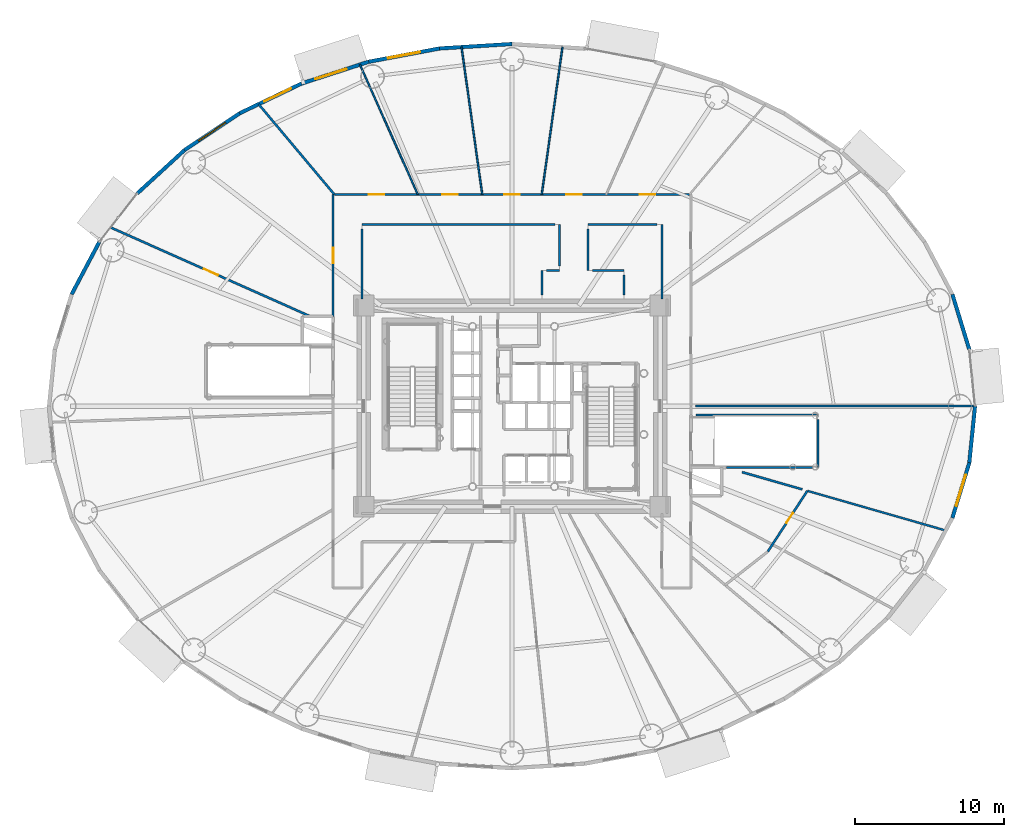
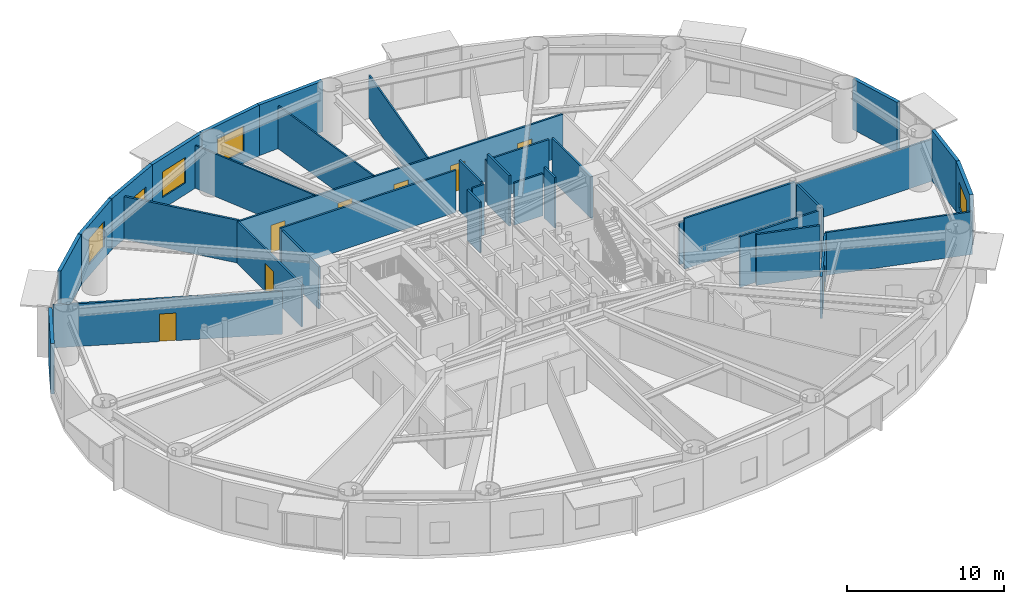
# One storey, part 19 of 28: 34 walls, 8 doors, 5 windows, 13 openings.
"""IFC4 building model written with IfcOpenShell, lengths in metres."""

import ifcopenshell
import ifcopenshell.guid

model = None  # the IFC model being written
_history = None  # IfcOwnerHistory: only IFC2X3 demands one
_inside = {}  # id of a spatial element -> (the spatial element, [elements in it])
_under = {}  # id of a project, library or spatial element -> (it, [spatial elements below it])
_declared = {}  # id of a project -> (the project, [libraries it declares])
_typed = {}  # id of a type object -> (the type object, [elements of that type])
_made_of = {}  # id of a material, layer set ... -> (it, [elements and type objects made of it])


def new_model(schema):
    """Start an empty IFC model of exactly this schema.

    Asked for "IFC4X3", IfcOpenShell would pick the latest addendum, in which some entities
    have other attributes; the version numbers below select the first issue.
    IFC2X3 requires an IfcOwnerHistory on every rooted entity: one is made here for all.
    """
    global model, _history
    if schema == "IFC4X3":
        model = ifcopenshell.file(schema_version=(4, 3, 0, 0))
    else:
        model = ifcopenshell.file(schema=schema)
    _inside.clear()
    _under.clear()
    _declared.clear()
    _typed.clear()
    _made_of.clear()
    _history = None
    if model.schema == "IFC2X3":
        org = make("IfcOrganization", Name="unknown")
        user = make(
            "IfcPersonAndOrganization",
            ThePerson=make("IfcPerson", FamilyName="unknown"),
            TheOrganization=org,
        )
        app = make(
            "IfcApplication",
            ApplicationDeveloper=org,
            Version="unknown",
            ApplicationFullName="unknown",
            ApplicationIdentifier="unknown",
        )
        _history = make(
            "IfcOwnerHistory",
            OwningUser=user,
            OwningApplication=app,
            ChangeAction="ADDED",
            CreationDate=0,
        )
    return model


def make(cls, **values):
    """One entity of the class cls with the attributes given. An attribute that is None is left unset."""
    return model.create_entity(
        cls, **{name: value for name, value in values.items() if value is not None}
    )


def rooted(cls, **values):
    """An entity with a GlobalId (a new one), such as an element, a storey or a relation."""
    return make(cls, GlobalId=ifcopenshell.guid.new(), OwnerHistory=_history, **values)


def si_unit(unit_type, name, prefix=None):
    """IfcSIUnit, for example si_unit("LENGTHUNIT", "METRE", prefix="MILLI")."""
    return make("IfcSIUnit", UnitType=unit_type, Prefix=prefix, Name=name)


def assignment(units):
    """IfcUnitAssignment: the units of a project."""
    return None if units is None else make("IfcUnitAssignment", Units=units)


def point(xyz):
    """IfcCartesianPoint."""
    return None if xyz is None else make("IfcCartesianPoint", Coordinates=xyz)


def direction(xyz):
    """IfcDirection."""
    return None if xyz is None else make("IfcDirection", DirectionRatios=xyz)


def frame(location, z_axis=None, x_axis=None):
    """IfcAxis2Placement3D, a coordinate frame: its origin and axes. An axis left out is left unset."""
    return make(
        "IfcAxis2Placement3D",
        Location=point(location),
        Axis=direction(z_axis),
        RefDirection=direction(x_axis),
    )


def frame_2d(location, x_axis=None):
    """IfcAxis2Placement2D, a coordinate frame in the plane: its origin and x axis."""
    return make(
        "IfcAxis2Placement2D", Location=point(location), RefDirection=direction(x_axis)
    )


def origin():
    """The frame at (0, 0, 0) with its axes left unset."""
    return frame((0.0, 0.0, 0.0))


def origin_2d():
    """The frame at (0, 0) in the plane with its x axis left unset."""
    return frame_2d((0.0, 0.0))


def place(relative_to, where):
    """IfcLocalPlacement: puts the frame where relative to a parent placement (None: the world)."""
    return make(
        "IfcLocalPlacement", PlacementRelTo=relative_to, RelativePlacement=where
    )


def context(
    kind, dimensions, precision=None, world=None, true_north=None, identifier=None
):
    """IfcGeometricRepresentationContext, for example the 3D "Model" context."""
    return make(
        "IfcGeometricRepresentationContext",
        ContextIdentifier=identifier,
        ContextType=kind,
        CoordinateSpaceDimension=dimensions,
        Precision=precision,
        WorldCoordinateSystem=world,
        TrueNorth=true_north,
    )


def subcontext(parent, identifier, kind, view, scale=None):
    """IfcGeometricRepresentationSubContext, for example "Body" below "Model"."""
    return make(
        "IfcGeometricRepresentationSubContext",
        ContextIdentifier=identifier,
        ContextType=kind,
        ParentContext=parent,
        TargetScale=scale,
        TargetView=view,
    )


def project(units=None, contexts=None):
    """IfcProject with its units and contexts."""
    return rooted(
        "IfcProject",
        Name="project",
        RepresentationContexts=contexts,
        UnitsInContext=assignment(units),
    )


def spatial(cls, under=None, at=None, **own):
    """A site, building, storey or space (cls), placed at a placement, below another one or the project."""
    s = rooted(cls, ObjectPlacement=at, **own)
    if under is not None:
        _under.setdefault(under.id(), (under, []))[1].append(s)
    return s


def profile(cls, at=None, kind="AREA", **sizes):
    """A parametric profile (cls). Its sizes go by their IFC names, for example OverallWidth=200.0."""
    return make(cls, ProfileType=kind, Position=at, **sizes)


def rectangle(**sizes):
    """IfcRectangleProfileDef."""
    return profile("IfcRectangleProfileDef", **sizes)


def extrude(swept, where, along, depth):
    """IfcExtrudedAreaSolid: the profile swept, set in the frame where, extruded along a direction by depth."""
    return make(
        "IfcExtrudedAreaSolid",
        SweptArea=swept,
        Position=where,
        ExtrudedDirection=direction(along),
        Depth=depth,
    )


def shape(context_of_items, identifier, shape_type, items):
    """IfcShapeRepresentation: the items that make up one representation, for example the "Body"."""
    return make(
        "IfcShapeRepresentation",
        ContextOfItems=context_of_items,
        RepresentationIdentifier=identifier,
        RepresentationType=shape_type,
        Items=items,
    )


def source(mapping_origin, context_of_items, identifier, shape_type, items):
    """IfcRepresentationMap: a shape defined once, which mapped items show again and again."""
    return make(
        "IfcRepresentationMap",
        MappingOrigin=mapping_origin,
        MappedRepresentation=shape(context_of_items, identifier, shape_type, items),
    )


def transform(
    local_origin,
    x_axis=None,
    y_axis=None,
    z_axis=None,
    scale=None,
    scale2=None,
    scale3=None,
    uniform=True,
):
    """IfcCartesianTransformationOperator3D, or its non-uniform kind. x_axis, y_axis, z_axis: its Axis1, 2, 3."""
    if uniform:
        return make(
            "IfcCartesianTransformationOperator3D",
            Axis1=direction(x_axis),
            Axis2=direction(y_axis),
            LocalOrigin=point(local_origin),
            Scale=scale,
            Axis3=direction(z_axis),
        )
    return make(
        "IfcCartesianTransformationOperator3DnonUniform",
        Axis1=direction(x_axis),
        Axis2=direction(y_axis),
        LocalOrigin=point(local_origin),
        Scale=scale,
        Axis3=direction(z_axis),
        Scale2=scale2,
        Scale3=scale3,
    )


def mapped(mapping_source, mapping_target):
    """IfcMappedItem: shows the shape of a source again, moved by a transform."""
    return make(
        "IfcMappedItem", MappingSource=mapping_source, MappingTarget=mapping_target
    )


def material(Name=None, Category=None):
    """IfcMaterial."""
    return make("IfcMaterial", Name=Name, Category=Category)


def layer(
    of_material, thickness, ventilated=None, Name=None, Category=None, Priority=None
):
    """IfcMaterialLayer: one layer of a wall or slab, of a material (None: an air gap)."""
    return make(
        "IfcMaterialLayer",
        Material=of_material,
        LayerThickness=thickness,
        IsVentilated=ventilated,
        Name=Name,
        Category=Category,
        Priority=Priority,
    )


def layer_set(layers, Name=None):
    """IfcMaterialLayerSet."""
    return make("IfcMaterialLayerSet", MaterialLayers=layers, LayerSetName=Name)


def made_of(thing, what):
    """Note that an element or type object is made of a material, layer set ...; save() writes the relation."""
    if what is not None:
        _made_of.setdefault(what.id(), (what, []))[1].append(thing)
    return thing


def type_object(cls, material=None, **own):
    """A type object (cls), such as IfcWallType, which elements share."""
    return made_of(rooted(cls, **own), material)


def element(
    cls,
    number,
    at=None,
    inside=None,
    cuts=None,
    type_object=None,
    material=None,
    context=None,
    identifier="Body",
    shape_type=None,
    held_by="IfcProductDefinitionShape",
    body=None,
    shapes=None,
    **own,
):
    """One element of the class cls, such as IfcWall. Its Tag is "e" and its number.

    at: its placement. inside: the storey or other place that contains it. cuts: it is an
    opening in that element (IfcRelVoidsElement). A single representation is given by context,
    identifier, shape_type and body (its items); several are given by shapes. held_by: the class
    of the entity that holds the representations. save() writes the other relations.
    """
    e = rooted(cls, Tag="e%d" % number, ObjectPlacement=at, **own)
    if body is not None:
        shapes = [shape(context, identifier, shape_type, body)]
    if shapes is not None:
        e.Representation = make(held_by, Representations=shapes)
    if inside is not None:
        _inside.setdefault(inside.id(), (inside, []))[1].append(e)
    if cuts is not None:
        rooted(
            "IfcRelVoidsElement", RelatingBuildingElement=cuts, RelatedOpeningElement=e
        )
    if type_object is not None:
        _typed.setdefault(type_object.id(), (type_object, []))[1].append(e)
    return made_of(e, material)


def fill(opening, filler):
    """IfcRelFillsElement: the door or window that sits in an opening."""
    return rooted(
        "IfcRelFillsElement",
        RelatingOpeningElement=opening,
        RelatedBuildingElement=filler,
    )


def aggregate(whole, parts):
    """IfcRelAggregates: a whole, such as a stair, and the parts it consists of."""
    return rooted("IfcRelAggregates", RelatingObject=whole, RelatedObjects=parts)


def save(model, path):
    """Write the relations noted so far, then the file.

    IfcRelAggregates (storeys below a building ...), IfcRelContainedInSpatialStructure (elements
    in a storey), IfcRelDefinesByType, IfcRelAssociatesMaterial and IfcRelDeclares: one each for
    every whole, place, type object, material and project.
    """
    for whole, parts in _under.values():
        aggregate(whole, parts)
    for where, things in _inside.values():
        rooted(
            "IfcRelContainedInSpatialStructure",
            RelatedElements=things,
            RelatingStructure=where,
        )
    for kind, things in _typed.values():
        rooted("IfcRelDefinesByType", RelatedObjects=things, RelatingType=kind)
    for what, things in _made_of.values():
        rooted("IfcRelAssociatesMaterial", RelatedObjects=things, RelatingMaterial=what)
    for by, libraries in _declared.values():
        rooted("IfcRelDeclares", RelatingContext=by, RelatedDefinitions=libraries)
    model.write(path)


model = new_model("IFC4")

# Units and contexts
model_context = context("Model", 3, precision=1e-05, world=origin(), true_north=direction((0.0, 1.0)))
body_context = subcontext(model_context, "Body", "Model", "MODEL_VIEW")
ifc_project = project(units=[si_unit("LENGTHUNIT", "METRE"), si_unit("AREAUNIT", "SQUARE_METRE"), si_unit("VOLUMEUNIT", "CUBIC_METRE"), si_unit("PLANEANGLEUNIT", "RADIAN"), si_unit("MASSUNIT", "GRAM", prefix="KILO")], contexts=[model_context])

# Site, building, storey
site_placement = place(None, origin())
site = spatial("IfcSite", under=ifc_project, at=site_placement, CompositionType="ELEMENT")
building_placement = place(site_placement, origin())
building = spatial("IfcBuilding", under=site, at=building_placement, Name="Linh Dai School and Residence Tower", CompositionType="ELEMENT")
storey_placement = place(building_placement, frame((0.0, 0.0, 57.60009765625)))
storey = spatial("IfcBuildingStorey", under=building, at=storey_placement, Name="L13", CompositionType="ELEMENT", Elevation=57.60009765625)

# Walls
ifc_material_1 = material(Name="Precast Concrete B45 (C35/45)", Category="concrete")
ifc_layer_1 = layer(ifc_material_1, 0.25)
ifc_layer_set_1 = layer_set([ifc_layer_1], Name="Precast Concrete B45 (C35/45)")
wall_type_1 = type_object("IfcWallType", Name="EW-TC-250", PredefinedType="SOLIDWALL", material=ifc_layer_set_1)
wall_1_placement = place(storey_placement, frame((65.5576171875, 34.50146484375, 0.0), z_axis=(0.0, 0.0, 1.0), x_axis=(0.293111631758, -0.956078224482, 0.0)))
element("IfcWall", 1, at=wall_1_placement, inside=storey, type_object=wall_type_1, Name="L13 Terracotta Exterior Wall 02", PredefinedType="SOLIDWALL", context=body_context, shape_type="SweptSolid", body=[
    extrude(rectangle(XDim=3.874755859375, YDim=0.25, at=frame_2d((1.9375, 0.0))), origin(), (0.0, 0.0, 1.0), 3.949951171875),
])
wall_2_placement = place(storey_placement, frame((31.134521484375, 51.005126953125, 0.0), z_axis=(0.0, 0.0, 1.0), x_axis=(0.998106954071, 0.061502099433, 0.0)))
element("IfcWall", 2, at=wall_2_placement, inside=storey, type_object=wall_type_1, Name="L13 Terracotta Exterior Wall 11", PredefinedType="SOLIDWALL", context=body_context, shape_type="SweptSolid", body=[
    extrude(rectangle(XDim=4.874755859375, YDim=0.25, at=frame_2d((2.4375, 0.0))), origin(), (0.0, 0.0, 1.0), 3.949951171875),
])

# Wall, opening, window
wall_3_placement = place(storey_placement, frame((26.389404296875, 50.11328125, 0.0), z_axis=(0.0, 0.0, 1.0), x_axis=(0.982791952378, 0.184715939598, 0.0)))
wall_3 = element("IfcWall", 3, at=wall_3_placement, inside=storey, type_object=wall_type_1, Name="L13 Terracotta Exterior Wall 12", PredefinedType="SOLIDWALL", context=body_context, shape_type="SweptSolid", body=[
    extrude(rectangle(XDim=4.828125, YDim=0.25, at=frame_2d((2.4140625, 0.0))), origin(), (0.0, 0.0, 1.0), 3.949951171875),
])
opening_1_placement = place(wall_3_placement, frame((1.314208984375, 0.0, 0.89990234375)))
opening_1 = element("IfcOpeningElement", 4, at=opening_1_placement, cuts=wall_3, Name="Opening W4", PredefinedType="OPENING", context=body_context, shape_type="SweptSolid", body=[
    extrude(rectangle(XDim=2.199951171875, YDim=2.0, at=origin_2d()), frame((1.10009765625, 0.135009765625, 1.0), z_axis=(0.0, -1.0, 0.0), x_axis=(1.0, 0.0, 0.0)), (0.0, 0.0, 1.0), 0.27001953125),
])
ifc_material_2 = material(Name="Acoustic Laminated Low-E Glazing", Category="glass")
window_type_1 = type_object("IfcWindowType", Name="WN-SCH-2200x2000", PartitioningType="TRIPLE_PANEL_VERTICAL", PredefinedType="WINDOW", material=ifc_material_2)
shared_shape_1 = source(origin(), body_context, "Body", "SweptSolid", [
    extrude(rectangle(XDim=2.199951171875, YDim=2.0, at=origin_2d()), frame((1.10009765625, 0.030029296875, 1.0), z_axis=(0.0, -1.0, 0.0), x_axis=(1.0, 0.0, 0.0)), (0.0, 0.0, 1.0), 0.06005859375),
])
window_1_placement = place(opening_1_placement, origin())
window_1 = element("IfcWindow", 5, at=window_1_placement, inside=storey, type_object=window_type_1, Name="L13 Exterior Window 12.1", OverallHeight=2.0, OverallWidth=2.199951171875, PartitioningType="TRIPLE_PANEL_VERTICAL", PredefinedType="WINDOW", context=body_context, shape_type="MappedRepresentation", body=[
    mapped(shared_shape_1, transform((0.0, 0.0, 0.0), x_axis=(1.0, 0.0, 0.0), y_axis=(0.0, 1.0, 0.0), z_axis=(0.0, 0.0, 1.0), scale=1.0)),
])
fill(opening_1, window_1)

wall_4_placement = place(storey_placement, frame((21.8818359375, 48.651123046875, 0.0), z_axis=(0.0, 0.0, 1.0), x_axis=(0.951207699013, 0.308551313946, 0.0)))
wall_4 = element("IfcWall", 6, at=wall_4_placement, inside=storey, type_object=wall_type_1, Name="L13 Terracotta Exterior Wall 13", PredefinedType="SOLIDWALL", context=body_context, shape_type="SweptSolid", body=[
    extrude(rectangle(XDim=4.73876953125, YDim=0.25, at=frame_2d((2.369384765625, 0.0))), origin(), (0.0, 0.0, 1.0), 3.949951171875),
])
opening_2_placement = place(wall_4_placement, frame((0.9677734375, 0.0, 0.89990234375)))
opening_2 = element("IfcOpeningElement", 7, at=opening_2_placement, cuts=wall_4, Name="Opening W4", PredefinedType="OPENING", context=body_context, shape_type="SweptSolid", body=[
    extrude(rectangle(XDim=2.199951171875, YDim=2.0, at=origin_2d()), frame((1.10009765625, 0.135009765625, 1.0), z_axis=(0.0, -1.0, 0.0), x_axis=(1.0, 0.0, 0.0)), (0.0, 0.0, 1.0), 0.27001953125),
])
window_2_placement = place(opening_2_placement, origin())
window_2 = element("IfcWindow", 8, at=window_2_placement, inside=storey, type_object=window_type_1, Name="L13 Exterior Window 13.1", OverallHeight=2.0, OverallWidth=2.199951171875, PartitioningType="TRIPLE_PANEL_VERTICAL", PredefinedType="WINDOW", context=body_context, shape_type="MappedRepresentation", body=[
    mapped(shared_shape_1, transform((0.0, 0.0, 0.0), x_axis=(1.0, 0.0, 0.0), y_axis=(0.0, 1.0, 0.0), z_axis=(0.0, 0.0, 1.0), scale=1.0)),
])
fill(opening_2, window_2)

wall_5_placement = place(storey_placement, frame((17.722900390625, 46.65576171875, 0.0), z_axis=(0.0, 0.0, 1.0), x_axis=(0.901601503137, 0.432567601123, 0.0)))
wall_5 = element("IfcWall", 9, at=wall_5_placement, inside=storey, type_object=wall_type_1, Name="L13 Terracotta Exterior Wall 14", PredefinedType="SOLIDWALL", context=body_context, shape_type="SweptSolid", body=[
    extrude(rectangle(XDim=4.61279296875, YDim=0.25, at=frame_2d((2.306396484375, 0.0))), origin(), (0.0, 0.0, 1.0), 3.949951171875),
])
opening_3_placement = place(wall_5_placement, frame((1.83349609375, 0.0, 0.89990234375)))
opening_3 = element("IfcOpeningElement", 10, at=opening_3_placement, cuts=wall_5, Name="Opening W1", PredefinedType="OPENING", context=body_context, shape_type="SweptSolid", body=[
    extrude(rectangle(XDim=2.0, YDim=1.75, at=origin_2d()), frame((1.0, 0.135009765625, 0.875), z_axis=(0.0, -1.0, 0.0), x_axis=(1.0, 0.0, 0.0)), (0.0, 0.0, 1.0), 0.27001953125),
])
ifc_material_3 = material(Name="Double Low-E Insulated Glazing", Category="glass")
window_type_2 = type_object("IfcWindowType", Name="WN-RES-2000x1750", PartitioningType="DOUBLE_PANEL_VERTICAL", PredefinedType="WINDOW", material=ifc_material_3)
shared_shape_2 = source(origin(), body_context, "Body", "SweptSolid", [
    extrude(rectangle(XDim=2.0, YDim=1.75, at=origin_2d()), frame((1.0, 0.030029296875, 0.875), z_axis=(0.0, -1.0, 0.0), x_axis=(1.0, 0.0, 0.0)), (0.0, 0.0, 1.0), 0.06005859375),
])
window_3_placement = place(opening_3_placement, origin())
window_3 = element("IfcWindow", 11, at=window_3_placement, inside=storey, type_object=window_type_2, Name="L13 Exterior Window 14.1", OverallHeight=1.75, OverallWidth=2.0, PartitioningType="DOUBLE_PANEL_VERTICAL", PredefinedType="WINDOW", context=body_context, shape_type="MappedRepresentation", body=[
    mapped(shared_shape_2, transform((0.0, 0.0, 0.0), x_axis=(1.0, 0.0, 0.0), y_axis=(0.0, 1.0, 0.0), z_axis=(0.0, 0.0, 1.0), scale=1.0)),
])
fill(opening_3, window_3)

wall_6_placement = place(storey_placement, frame((14.015380859375, 44.17626953125, 0.0), z_axis=(0.0, 0.0, 1.0), x_axis=(0.831240982525, 0.555912249343, 0.0)))
wall_6 = element("IfcWall", 12, at=wall_6_placement, inside=storey, type_object=wall_type_1, Name="L13 Terracotta Exterior Wall 15", PredefinedType="SOLIDWALL", context=body_context, shape_type="SweptSolid", body=[
    extrude(rectangle(XDim=4.460205078125, YDim=0.25, at=frame_2d((2.22998046875, 0.0))), origin(), (0.0, 0.0, 1.0), 3.949951171875),
])
opening_4_placement = place(wall_6_placement, frame((1.13037109375, 0.0, 0.89990234375)))
opening_4 = element("IfcOpeningElement", 13, at=opening_4_placement, cuts=wall_6, Name="Opening W4", PredefinedType="OPENING", context=body_context, shape_type="SweptSolid", body=[
    extrude(rectangle(XDim=2.199951171875, YDim=2.0, at=origin_2d()), frame((1.10009765625, 0.135009765625, 1.0), z_axis=(0.0, -1.0, 0.0), x_axis=(1.0, 0.0, 0.0)), (0.0, 0.0, 1.0), 0.27001953125),
])
window_4_placement = place(opening_4_placement, origin())
window_4 = element("IfcWindow", 14, at=window_4_placement, inside=storey, type_object=window_type_1, Name="L13 Exterior Window 15.1", OverallHeight=2.0, OverallWidth=2.199951171875, PartitioningType="TRIPLE_PANEL_VERTICAL", PredefinedType="WINDOW", context=body_context, shape_type="MappedRepresentation", body=[
    mapped(shared_shape_1, transform((0.0, 0.0, 0.0), x_axis=(1.0, 0.0, 0.0), y_axis=(0.0, 1.0, 0.0), z_axis=(0.0, 0.0, 1.0), scale=1.0)),
])
fill(opening_4, window_4)

# Walls
wall_7_placement = place(storey_placement, frame((10.850341796875, 41.274658203125, 0.0), z_axis=(0.0, 0.0, 1.0), x_axis=(0.737116376281, 0.67576582321, 0.0)))
element("IfcWall", 15, at=wall_7_placement, inside=storey, type_object=wall_type_1, Name="L13 Terracotta Exterior Wall 16", PredefinedType="SOLIDWALL", context=body_context, shape_type="SweptSolid", body=[
    extrude(rectangle(XDim=4.293701171875, YDim=0.25, at=frame_2d((2.14697265625, 0.0))), origin(), (0.0, 0.0, 1.0), 3.949951171875),
])
wall_8_placement = place(storey_placement, frame((6.4423828125, 34.50146484375, 0.0), z_axis=(0.0, 0.0, 1.0), x_axis=(0.467662443071, 0.883907144072, 0.0)))
element("IfcWall", 16, at=wall_8_placement, inside=storey, type_object=wall_type_1, Name="L13 Terracotta Exterior Wall 18", PredefinedType="SOLIDWALL", context=body_context, shape_type="SweptSolid", body=[
    extrude(rectangle(XDim=3.983642578125, YDim=0.25, at=frame_2d((1.99169921875, 0.0))), origin(), (0.0, 0.0, 1.0), 3.949951171875),
])

# Wall, opening, window
wall_9_placement = place(storey_placement, frame((66.693359375, 23.203125, 0.0), z_axis=(0.0, 0.0, 1.0), x_axis=(-0.293111631758, -0.956078224482, 0.0)))
wall_9 = element("IfcWall", 17, at=wall_9_placement, inside=storey, type_object=wall_type_1, Name="L13 Terracotta Exterior Wall 39", PredefinedType="SOLIDWALL", context=body_context, shape_type="SweptSolid", body=[
    extrude(rectangle(XDim=3.874755859375, YDim=0.25, at=frame_2d((1.9375, 0.0))), origin(), (0.0, 0.0, 1.0), 3.949951171875),
])
opening_5_placement = place(wall_9_placement, frame((0.83740234375, 0.0, 0.89990234375)))
opening_5 = element("IfcOpeningElement", 18, at=opening_5_placement, cuts=wall_9, Name="Opening W4", PredefinedType="OPENING", context=body_context, shape_type="SweptSolid", body=[
    extrude(rectangle(XDim=2.199951171875, YDim=2.0, at=origin_2d()), frame((1.10009765625, 0.135009765625, 1.0), z_axis=(0.0, -1.0, 0.0), x_axis=(1.0, 0.0, 0.0)), (0.0, 0.0, 1.0), 0.27001953125),
])
window_5_placement = place(opening_5_placement, origin())
window_5 = element("IfcWindow", 19, at=window_5_placement, inside=storey, type_object=window_type_1, Name="L13 Exterior Window 39.1", OverallHeight=2.0, OverallWidth=2.199951171875, PartitioningType="TRIPLE_PANEL_VERTICAL", PredefinedType="WINDOW", context=body_context, shape_type="MappedRepresentation", body=[
    mapped(shared_shape_1, transform((0.0, 0.0, 0.0), x_axis=(1.0, 0.0, 0.0), y_axis=(0.0, 1.0, 0.0), z_axis=(0.0, 0.0, 1.0), scale=1.0)),
])
fill(opening_5, window_5)

# Wall
wall_10_placement = place(storey_placement, frame((67.074951171875, 27.0, 0.0), z_axis=(0.0, 0.0, 1.0), x_axis=(-0.099997795174, -0.994987658698, 0.0)))
element("IfcWall", 20, at=wall_10_placement, inside=storey, type_object=wall_type_1, Name="L13 Terracotta Exterior Wall 40", PredefinedType="SOLIDWALL", context=body_context, shape_type="SweptSolid", body=[
    extrude(rectangle(XDim=3.81591796875, YDim=0.25, at=frame_2d((1.907958984375, 0.0))), origin(), (0.0, 0.0, 1.0), 3.949951171875),
])

# Wall, opening, door
ifc_material_4 = material(Name="Autoclaved Aerated Concrete Blockwork", Category="masonry")
ifc_layer_2 = layer(ifc_material_4, 0.135009765625)
ifc_layer_set_2 = layer_set([ifc_layer_2], Name="Autoclaved Aerated Concrete Blockwork")
wall_type_2 = type_object("IfcWallType", Name="IW-CORR-135-EI90", PredefinedType="PARTITIONING", material=ifc_layer_set_2)
wall_11_placement = place(storey_placement, frame((24.0, 33.010009765625, 0.0), z_axis=(0.0, 0.0, 1.0), x_axis=(0.0, 1.0, 0.0)))
wall_11 = element("IfcWall", 21, at=wall_11_placement, inside=storey, type_object=wall_type_2, Name="L13 Interior Partition Wall 014", PredefinedType="PARTITIONING", context=body_context, shape_type="SweptSolid", body=[
    extrude(rectangle(XDim=8.18994140625, YDim=0.135009765625, at=frame_2d((4.094970703125, 0.0))), origin(), (0.0, 0.0, 1.0), 3.284912109375),
])
opening_6_placement = place(wall_11_placement, frame((3.570068359375, 0.0, 0.0)))
opening_6 = element("IfcOpeningElement", 22, at=opening_6_placement, cuts=wall_11, Name="Opening D04", PredefinedType="OPENING", context=body_context, shape_type="SweptSolid", body=[
    extrude(rectangle(XDim=1.050048828125, YDim=2.14990234375, at=origin_2d()), frame((0.52490234375, 0.07763671875, 1.074951171875), z_axis=(0.0, -1.0, 0.0), x_axis=(1.0, 0.0, 0.0)), (0.0, 0.0, 1.0), 0.155029296875),
])
ifc_material_5 = material(Name="Acoustic Vision-Panel Timber Classroom Door", Category="wood")
door_type_1 = type_object("IfcDoorType", Name="DR-SCH-1050x2150-FD60S", OperationType="NOTDEFINED", PredefinedType="DOOR", material=ifc_material_5)
shared_shape_3 = source(origin(), body_context, "Body", "SweptSolid", [
    extrude(rectangle(XDim=1.050048828125, YDim=2.14990234375, at=origin_2d()), frame((0.52490234375, 0.02490234375, 1.074951171875), z_axis=(0.0, -1.0, 0.0), x_axis=(1.0, 0.0, 0.0)), (0.0, 0.0, 1.0), 0.050048828125),
])
door_1_placement = place(opening_6_placement, origin())
door_1 = element("IfcDoor", 23, at=door_1_placement, inside=storey, type_object=door_type_1, Name="L13 Computer Science Lab 1 Door", OperationType="SINGLE_SWING_LEFT", OverallHeight=2.14990234375, OverallWidth=1.050048828125, PredefinedType="DOOR", context=body_context, shape_type="MappedRepresentation", body=[
    mapped(shared_shape_3, transform((0.0, 0.0, 0.0), x_axis=(1.0, 0.0, 0.0), y_axis=(0.0, 1.0, 0.0), z_axis=(0.0, 0.0, 1.0), scale=1.0)),
])
fill(opening_6, door_1)

# Wall, openings, doors
wall_12_placement = place(storey_placement, frame((24.084716796875, 41.199951171875, 0.0), z_axis=(0.0, 0.0, 1.0), x_axis=(1.0, 0.0, 0.0)))
wall_12 = element("IfcWall", 24, at=wall_12_placement, inside=storey, type_object=wall_type_2, Name="L13 Interior Partition Wall 015", PredefinedType="PARTITIONING", context=body_context, shape_type="SweptSolid", body=[
    extrude(rectangle(XDim=23.83056640625, YDim=0.135009765625, at=frame_2d((11.915283203125, 0.0))), origin(), (0.0, 0.0, 1.0), 3.284912109375),
])
opening_7_placement = place(wall_12_placement, frame((20.489013671875, 0.0, 0.0)))
opening_7 = element("IfcOpeningElement", 25, at=opening_7_placement, cuts=wall_12, Name="Opening D04", PredefinedType="OPENING", context=body_context, shape_type="SweptSolid", body=[
    extrude(rectangle(XDim=1.050048828125, YDim=2.14990234375, at=origin_2d()), frame((0.52490234375, 0.07763671875, 1.074951171875), z_axis=(0.0, -1.0, 0.0), x_axis=(1.0, 0.0, 0.0)), (0.0, 0.0, 1.0), 0.155029296875),
])
opening_8_placement = place(wall_12_placement, frame((15.54931640625, 0.0, 0.0)))
opening_8 = element("IfcOpeningElement", 26, at=opening_8_placement, cuts=wall_12, Name="Opening D04", PredefinedType="OPENING", context=body_context, shape_type="SweptSolid", body=[
    extrude(rectangle(XDim=1.050048828125, YDim=2.14990234375, at=origin_2d()), frame((0.52490234375, 0.07763671875, 1.074951171875), z_axis=(0.0, -1.0, 0.0), x_axis=(1.0, 0.0, 0.0)), (0.0, 0.0, 1.0), 0.155029296875),
])
opening_9_placement = place(wall_12_placement, frame((11.39013671875, 0.0, 0.0)))
opening_9 = element("IfcOpeningElement", 27, at=opening_9_placement, cuts=wall_12, Name="Opening D04", PredefinedType="OPENING", context=body_context, shape_type="SweptSolid", body=[
    extrude(rectangle(XDim=1.050048828125, YDim=2.14990234375, at=origin_2d()), frame((0.52490234375, 0.07763671875, 1.074951171875), z_axis=(0.0, -1.0, 0.0), x_axis=(1.0, 0.0, 0.0)), (0.0, 0.0, 1.0), 0.155029296875),
])
opening_10_placement = place(wall_12_placement, frame((7.231201171875, 0.0, 0.0)))
opening_10 = element("IfcOpeningElement", 28, at=opening_10_placement, cuts=wall_12, Name="Opening D04", PredefinedType="OPENING", context=body_context, shape_type="SweptSolid", body=[
    extrude(rectangle(XDim=1.050048828125, YDim=2.14990234375, at=origin_2d()), frame((0.52490234375, 0.07763671875, 1.074951171875), z_axis=(0.0, -1.0, 0.0), x_axis=(1.0, 0.0, 0.0)), (0.0, 0.0, 1.0), 0.155029296875),
])
opening_11_placement = place(wall_12_placement, frame((2.29150390625, 0.0, 0.0)))
opening_11 = element("IfcOpeningElement", 29, at=opening_11_placement, cuts=wall_12, Name="Opening D04", PredefinedType="OPENING", context=body_context, shape_type="SweptSolid", body=[
    extrude(rectangle(XDim=1.050048828125, YDim=2.14990234375, at=origin_2d()), frame((0.52490234375, 0.07763671875, 1.074951171875), z_axis=(0.0, -1.0, 0.0), x_axis=(1.0, 0.0, 0.0)), (0.0, 0.0, 1.0), 0.155029296875),
])
door_2_placement = place(opening_7_placement, origin())
door_2 = element("IfcDoor", 30, at=door_2_placement, inside=storey, type_object=door_type_1, Name="L13 Sixth-Form Seminar Room 2 Door", OperationType="SINGLE_SWING_RIGHT", OverallHeight=2.14990234375, OverallWidth=1.050048828125, PredefinedType="DOOR", context=body_context, shape_type="MappedRepresentation", body=[
    mapped(shared_shape_3, transform((0.0, 0.0, 0.0), x_axis=(1.0, 0.0, 0.0), y_axis=(0.0, 1.0, 0.0), z_axis=(0.0, 0.0, 1.0), scale=1.0)),
])
fill(opening_7, door_2)
door_3_placement = place(opening_8_placement, origin())
door_3 = element("IfcDoor", 31, at=door_3_placement, inside=storey, type_object=door_type_1, Name="L13 Sixth-Form Seminar Room 3 Door", OperationType="SINGLE_SWING_LEFT", OverallHeight=2.14990234375, OverallWidth=1.050048828125, PredefinedType="DOOR", context=body_context, shape_type="MappedRepresentation", body=[
    mapped(shared_shape_3, transform((0.0, 0.0, 0.0), x_axis=(1.0, 0.0, 0.0), y_axis=(0.0, 1.0, 0.0), z_axis=(0.0, 0.0, 1.0), scale=1.0)),
])
fill(opening_8, door_3)
door_4_placement = place(opening_9_placement, origin())
door_4 = element("IfcDoor", 32, at=door_4_placement, inside=storey, type_object=door_type_1, Name="L13 Sixth-Form Seminar Room 4 Door", OperationType="SINGLE_SWING_RIGHT", OverallHeight=2.14990234375, OverallWidth=1.050048828125, PredefinedType="DOOR", context=body_context, shape_type="MappedRepresentation", body=[
    mapped(shared_shape_3, transform((0.0, 0.0, 0.0), x_axis=(1.0, 0.0, 0.0), y_axis=(0.0, 1.0, 0.0), z_axis=(0.0, 0.0, 1.0), scale=1.0)),
])
fill(opening_9, door_4)
door_5_placement = place(opening_10_placement, origin())
door_5 = element("IfcDoor", 33, at=door_5_placement, inside=storey, type_object=door_type_1, Name="L13 Sixth-Form Seminar Room 5 Door", OperationType="SINGLE_SWING_LEFT", OverallHeight=2.14990234375, OverallWidth=1.050048828125, PredefinedType="DOOR", context=body_context, shape_type="MappedRepresentation", body=[
    mapped(shared_shape_3, transform((0.0, 0.0, 0.0), x_axis=(1.0, 0.0, 0.0), y_axis=(0.0, 1.0, 0.0), z_axis=(0.0, 0.0, 1.0), scale=1.0)),
])
fill(opening_10, door_5)
door_6_placement = place(opening_11_placement, origin())
door_6 = element("IfcDoor", 34, at=door_6_placement, inside=storey, type_object=door_type_1, Name="L13 Sixth-Form Seminar Room 6 Door", OperationType="SINGLE_SWING_RIGHT", OverallHeight=2.14990234375, OverallWidth=1.050048828125, PredefinedType="DOOR", context=body_context, shape_type="MappedRepresentation", body=[
    mapped(shared_shape_3, transform((0.0, 0.0, 0.0), x_axis=(1.0, 0.0, 0.0), y_axis=(0.0, 1.0, 0.0), z_axis=(0.0, 0.0, 1.0), scale=1.0)),
])
fill(opening_11, door_6)

# Walls
wall_13_placement = place(storey_placement, frame((48.360107421875, 26.419921875, 0.0), z_axis=(0.0, 0.0, 1.0), x_axis=(1.0, 0.0, 0.0)))
element("IfcWall", 35, at=wall_13_placement, inside=storey, type_object=wall_type_2, Name="L13 Interior Partition Wall 087", PredefinedType="PARTITIONING", context=body_context, shape_type="SweptSolid", body=[
    extrude(rectangle(XDim=8.159912109375, YDim=0.135009765625, at=frame_2d((4.080078125, 0.0))), origin(), (0.0, 0.0, 1.0), 3.949951171875),
])
wall_14_placement = place(storey_placement, frame((56.52001953125, 26.112548828125, 0.0), z_axis=(0.0, 0.0, 1.0), x_axis=(0.0, -1.0, 0.0)))
element("IfcWall", 36, at=wall_14_placement, inside=storey, type_object=wall_type_2, Name="L13 Interior Partition Wall 088", PredefinedType="PARTITIONING", context=body_context, shape_type="SweptSolid", body=[
    extrude(rectangle(XDim=3.232666015625, YDim=0.135009765625, at=frame_2d((1.6162109375, 0.0))), origin(), (0.0, 0.0, 1.0), 3.949951171875),
])
wall_15_placement = place(storey_placement, frame((56.21240234375, 22.8798828125, 0.0), z_axis=(0.0, 0.0, 1.0), x_axis=(-1.0, 0.0, 0.0)))
element("IfcWall", 37, at=wall_15_placement, inside=storey, type_object=wall_type_2, Name="L13 Interior Partition Wall 089", PredefinedType="PARTITIONING", context=body_context, shape_type="SweptSolid", body=[
    extrude(rectangle(XDim=5.802490234375, YDim=0.135009765625, at=frame_2d((2.9013671875, 0.0))), origin(), (0.0, 0.0, 1.0), 3.949951171875),
])
wall_16_placement = place(storey_placement, frame((46.050048828125, 34.199951171875, 0.0), z_axis=(0.0, 0.0, 1.0), x_axis=(0.0, 1.0, 0.0)))
element("IfcWall", 38, at=wall_16_placement, inside=storey, type_object=wall_type_2, Name="L13 Interior Partition Wall 094", PredefinedType="PARTITIONING", context=body_context, shape_type="SweptSolid", body=[
    extrude(rectangle(XDim=5.0, YDim=0.135009765625, at=frame_2d((2.5, 0.0))), origin(), (0.0, 0.0, 1.0), 3.284912109375),
])
wall_17_placement = place(storey_placement, frame((45.742431640625, 39.199951171875, 0.0), z_axis=(0.0, 0.0, 1.0), x_axis=(-1.0, 0.0, 0.0)))
element("IfcWall", 39, at=wall_17_placement, inside=storey, type_object=wall_type_2, Name="L13 Interior Partition Wall 095", PredefinedType="PARTITIONING", context=body_context, shape_type="SweptSolid", body=[
    extrude(rectangle(XDim=4.642333984375, YDim=0.135009765625, at=frame_2d((2.3212890625, 0.0))), origin(), (0.0, 0.0, 1.0), 3.284912109375),
])
wall_18_placement = place(storey_placement, frame((41.10009765625, 38.892578125, 0.0), z_axis=(0.0, 0.0, 1.0), x_axis=(0.0, -1.0, 0.0)))
element("IfcWall", 40, at=wall_18_placement, inside=storey, type_object=wall_type_2, Name="L13 Interior Partition Wall 096", PredefinedType="PARTITIONING", context=body_context, shape_type="SweptSolid", body=[
    extrude(rectangle(XDim=2.79248046875, YDim=0.135009765625, at=frame_2d((1.396240234375, 0.0))), origin(), (0.0, 0.0, 1.0), 3.949951171875),
])
wall_19_placement = place(storey_placement, frame((41.407470703125, 36.10009765625, 0.0), z_axis=(0.0, 0.0, 1.0), x_axis=(1.0, 0.0, 0.0)))
element("IfcWall", 41, at=wall_19_placement, inside=storey, type_object=wall_type_2, Name="L13 Interior Partition Wall 097", PredefinedType="PARTITIONING", context=body_context, shape_type="SweptSolid", body=[
    extrude(rectangle(XDim=2.092529296875, YDim=0.135009765625, at=frame_2d((1.04638671875, 0.0))), origin(), (0.0, 0.0, 1.0), 3.284912109375),
])
wall_20_placement = place(storey_placement, frame((43.5, 35.79248046875, 0.0), z_axis=(0.0, 0.0, 1.0), x_axis=(0.0, -1.0, 0.0)))
element("IfcWall", 42, at=wall_20_placement, inside=storey, type_object=wall_type_2, Name="L13 Interior Partition Wall 098", PredefinedType="PARTITIONING", context=body_context, shape_type="SweptSolid", body=[
    extrude(rectangle(XDim=1.33251953125, YDim=0.135009765625, at=frame_2d((0.666259765625, 0.0))), origin(), (0.0, 0.0, 1.0), 3.949951171875),
])
wall_21_placement = place(storey_placement, frame((38.0, 34.4599609375, 0.0), z_axis=(0.0, 0.0, 1.0), x_axis=(0.0, 1.0, 0.0)))
element("IfcWall", 43, at=wall_21_placement, inside=storey, type_object=wall_type_2, Name="L13 Interior Partition Wall 099", PredefinedType="PARTITIONING", context=body_context, shape_type="SweptSolid", body=[
    extrude(rectangle(XDim=1.64013671875, YDim=0.135009765625, at=frame_2d((0.820068359375, 0.0))), origin(), (0.0, 0.0, 1.0), 3.949951171875),
])
wall_22_placement = place(storey_placement, frame((38.3076171875, 36.10009765625, 0.0), z_axis=(0.0, 0.0, 1.0), x_axis=(1.0, 0.0, 0.0)))
element("IfcWall", 44, at=wall_22_placement, inside=storey, type_object=wall_type_2, Name="L13 Interior Partition Wall 100", PredefinedType="PARTITIONING", context=body_context, shape_type="SweptSolid", body=[
    extrude(rectangle(XDim=0.892333984375, YDim=0.135009765625, at=frame_2d((0.4462890625, 0.0))), origin(), (0.0, 0.0, 1.0), 3.949951171875),
])
wall_23_placement = place(storey_placement, frame((39.199951171875, 36.407470703125, 0.0), z_axis=(0.0, 0.0, 1.0), x_axis=(0.0, 1.0, 0.0)))
element("IfcWall", 45, at=wall_23_placement, inside=storey, type_object=wall_type_2, Name="L13 Interior Partition Wall 101", PredefinedType="PARTITIONING", context=body_context, shape_type="SweptSolid", body=[
    extrude(rectangle(XDim=2.79248046875, YDim=0.135009765625, at=frame_2d((1.396240234375, 0.0))), origin(), (0.0, 0.0, 1.0), 3.949951171875),
])
wall_24_placement = place(storey_placement, frame((38.892578125, 39.199951171875, 0.0), z_axis=(0.0, 0.0, 1.0), x_axis=(-1.0, 0.0, 0.0)))
element("IfcWall", 46, at=wall_24_placement, inside=storey, type_object=wall_type_2, Name="L13 Interior Partition Wall 102", PredefinedType="PARTITIONING", context=body_context, shape_type="SweptSolid", body=[
    extrude(rectangle(XDim=12.942626953125, YDim=0.135009765625, at=frame_2d((6.47119140625, 0.0))), origin(), (0.0, 0.0, 1.0), 3.284912109375),
])
wall_25_placement = place(storey_placement, frame((25.949951171875, 38.892578125, 0.0), z_axis=(0.0, 0.0, 1.0), x_axis=(0.0, -1.0, 0.0)))
element("IfcWall", 47, at=wall_25_placement, inside=storey, type_object=wall_type_2, Name="L13 Interior Partition Wall 103", PredefinedType="PARTITIONING", context=body_context, shape_type="SweptSolid", body=[
    extrude(rectangle(XDim=4.692626953125, YDim=0.135009765625, at=frame_2d((2.34619140625, 0.0))), origin(), (0.0, 0.0, 1.0), 3.284912109375),
])
wall_26_placement = place(storey_placement, frame((67.080078125, 27.0, 0.0), z_axis=(0.0, 0.0, 1.0), x_axis=(-1.0, 0.0, 0.0)))
element("IfcWall", 48, at=wall_26_placement, inside=storey, type_object=wall_type_2, Name="L13 Interior Partition Wall 107", PredefinedType="PARTITIONING", context=body_context, shape_type="SweptSolid", body=[
    extrude(rectangle(XDim=18.752685546875, YDim=0.135009765625, at=frame_2d((9.37646484375, 0.0))), origin(), (0.0, 0.0, 1.0), 3.284912109375),
])
wall_27_placement = place(storey_placement, frame((55.820068359375, 21.316650390625, 0.0), z_axis=(0.0, 0.0, 1.0), x_axis=(0.961261497428, -0.275638048104, 0.0)))
element("IfcWall", 49, at=wall_27_placement, inside=storey, type_object=wall_type_2, Name="L13 Interior Partition Wall 110", PredefinedType="PARTITIONING", context=body_context, shape_type="SweptSolid", body=[
    extrude(rectangle(XDim=9.66943359375, YDim=0.135009765625, at=frame_2d((4.834716796875, 0.0))), origin(), (0.0, 0.0, 1.0), 3.3349609375),
])
ifc_material_6 = material(Name="Acoustic Operable Timber Panel Partition", Category="wood")
ifc_layer_3 = layer(ifc_material_6, 0.110107421875)
ifc_layer_set_3 = layer_set([ifc_layer_3], Name="Acoustic Operable Timber Panel Partition")
wall_type_3 = type_object("IfcWallType", Name="IW-MOV-110", PredefinedType="MOVABLE", material=ifc_layer_set_3)
wall_28_placement = place(storey_placement, frame((25.793212890625, 49.925048828125, 0.0), z_axis=(0.0, 0.0, 1.0), x_axis=(0.406724210801, -0.913550992747, 0.0)))
element("IfcWall", 50, at=wall_28_placement, inside=storey, type_object=wall_type_3, Name="L13 Interior Partition Wall 016", PredefinedType="MOVABLE", context=body_context, shape_type="SweptSolid", body=[
    extrude(rectangle(XDim=9.55078125, YDim=0.110107421875, at=frame_2d((4.775390625, 0.0))), origin(), (0.0, 0.0, 1.0), 3.3349609375),
])
for number, where, z_axis, x_axis, name in (
    (51, (32.61279296875, 51.101318359375, 0.0), (0.0, 0.0, 1.0), (0.139178510171, -0.990267308511, 0.0), "L13 Interior Partition Wall 028"),
    (52, (37.99560546875, 41.199951171875, 0.0), (0.0, 0.0, 1.0), (0.139178510171, 0.990267308511, 0.0), "L13 Interior Partition Wall 049"),
):
    element("IfcWall", number, at=place(storey_placement, frame(where, z_axis=z_axis, x_axis=x_axis)), inside=storey, type_object=wall_type_3, Name=name, PredefinedType="MOVABLE", context=body_context, shape_type="SweptSolid", body=[
        extrude(rectangle(XDim=9.998779296875, YDim=0.110107421875, at=frame_2d((4.99951171875, 0.0))), origin(), (0.0, 0.0, 1.0), 3.3349609375),
    ])

# Wall, opening, door
ifc_layer_4 = layer(ifc_material_4, 0.14990234375)
ifc_layer_set_4 = layer_set([ifc_layer_4], Name="Autoclaved Aerated Concrete Blockwork")
wall_type_4 = type_object("IfcWallType", Name="IW-SCH-150-EI60", PredefinedType="PARTITIONING", material=ifc_layer_set_4)
wall_29_placement = place(storey_placement, frame((9.0595703125, 38.99462890625, 0.0), z_axis=(0.0, 0.0, 1.0), x_axis=(0.913544945328, -0.406737793751, 0.0)))
wall_29 = element("IfcWall", 53, at=wall_29_placement, inside=storey, type_object=wall_type_4, Name="L13 Interior Partition Wall 002", PredefinedType="PARTITIONING", context=body_context, shape_type="SweptSolid", body=[
    extrude(rectangle(XDim=14.73828125, YDim=0.14990234375, at=frame_2d((7.369140625, 0.0))), origin(), (0.0, 0.0, 1.0), 3.3349609375),
])
opening_12_placement = place(wall_29_placement, frame((6.84423828125, 0.0, 0.0)))
opening_12 = element("IfcOpeningElement", 54, at=opening_12_placement, cuts=wall_29, Name="Opening D04", PredefinedType="OPENING", context=body_context, shape_type="SweptSolid", body=[
    extrude(rectangle(XDim=1.050048828125, YDim=2.14990234375, at=origin_2d()), frame((0.52490234375, 0.0849609375, 1.074951171875), z_axis=(0.0, -1.0, 0.0), x_axis=(1.0, 0.0, 0.0)), (0.0, 0.0, 1.0), 0.169921875),
])
door_7_placement = place(opening_12_placement, origin())
door_7 = element("IfcDoor", 55, at=door_7_placement, inside=storey, type_object=door_type_1, Name="L13 Computer Science Lab 2 Door", OperationType="SINGLE_SWING_RIGHT", OverallHeight=2.14990234375, OverallWidth=1.050048828125, PredefinedType="DOOR", context=body_context, shape_type="MappedRepresentation", body=[
    mapped(shared_shape_3, transform((0.0, 0.0, 0.0), x_axis=(1.0, 0.0, 0.0), y_axis=(0.0, 1.0, 0.0), z_axis=(0.0, 0.0, 1.0), scale=1.0)),
])
fill(opening_12, door_7)

# Wall
wall_30_placement = place(storey_placement, frame((18.991455078125, 47.269775390625, 0.0), z_axis=(0.0, 0.0, 1.0), x_axis=(0.642793123836, -0.766039816164, 0.0)))
element("IfcWall", 56, at=wall_30_placement, inside=storey, type_object=wall_type_4, Name="L13 Interior Partition Wall 007", PredefinedType="PARTITIONING", context=body_context, shape_type="SweptSolid", body=[
    extrude(rectangle(XDim=7.923583984375, YDim=0.14990234375, at=frame_2d((3.9619140625, 0.0))), origin(), (0.0, 0.0, 1.0), 3.3349609375),
])

# Wall, opening, door
wall_31_placement = place(storey_placement, frame((53.1640625, 17.235595703125, 0.0), z_axis=(0.0, 0.0, 1.0), x_axis=(0.545409482698, 0.838169729937, 0.0)))
wall_31 = element("IfcWall", 57, at=wall_31_placement, inside=storey, type_object=wall_type_4, Name="L13 Interior Partition Wall 076", PredefinedType="PARTITIONING", context=body_context, shape_type="SweptSolid", body=[
    extrude(rectangle(XDim=4.869384765625, YDim=0.14990234375, at=frame_2d((2.4345703125, 0.0))), origin(), (0.0, 0.0, 1.0), 3.284912109375),
])
opening_13_placement = place(wall_31_placement, frame((2.28759765625, 0.0, 0.0)))
opening_13 = element("IfcOpeningElement", 58, at=opening_13_placement, cuts=wall_31, Name="Opening D06", PredefinedType="OPENING", context=body_context, shape_type="SweptSolid", body=[
    extrude(rectangle(XDim=0.820068359375, YDim=2.10009765625, at=origin_2d()), frame((0.41015625, 0.0849609375, 1.050048828125), z_axis=(0.0, -1.0, 0.0), x_axis=(1.0, 0.0, 0.0)), (0.0, 0.0, 1.0), 0.169921875),
])
ifc_material_7 = material(Name="Moisture-Resistant Timber Bathroom Door", Category="wood")
door_type_2 = type_object("IfcDoorType", Name="DR-WET-820x2100", OperationType="NOTDEFINED", PredefinedType="DOOR", material=ifc_material_7)
shared_shape_4 = source(origin(), body_context, "Body", "SweptSolid", [
    extrude(rectangle(XDim=0.820068359375, YDim=2.10009765625, at=origin_2d()), frame((0.41015625, 0.02490234375, 1.050048828125), z_axis=(0.0, -1.0, 0.0), x_axis=(1.0, 0.0, 0.0)), (0.0, 0.0, 1.0), 0.050048828125),
])
door_8_placement = place(opening_13_placement, origin())
door_8 = element("IfcDoor", 59, at=door_8_placement, inside=storey, type_object=door_type_2, Name="L13 Sixth-Form Female WC Door", OperationType="SINGLE_SWING_LEFT", OverallHeight=2.10009765625, OverallWidth=0.820068359375, PredefinedType="DOOR", context=body_context, shape_type="MappedRepresentation", body=[
    mapped(shared_shape_4, transform((0.0, 0.0, 0.0), x_axis=(1.0, 0.0, 0.0), y_axis=(0.0, 1.0, 0.0), z_axis=(0.0, 0.0, 1.0), scale=1.0)),
])
fill(opening_13, door_8)

# Wall
wall_32_placement = place(storey_placement, frame((51.4404296875, 22.572509765625, 0.0), z_axis=(0.0, 0.0, 1.0), x_axis=(0.961265031159, -0.275625724255, 0.0)))
element("IfcWall", 60, at=wall_32_placement, inside=storey, type_object=wall_type_4, Name="L13 Interior Partition Wall 109", PredefinedType="PARTITIONING", context=body_context, shape_type="SweptSolid", body=[
    extrude(rectangle(XDim=4.20556640625, YDim=0.14990234375, at=frame_2d((2.102783203125, 0.0))), origin(), (0.0, 0.0, 1.0), 3.949951171875),
])

save(model, "model.ifc")
